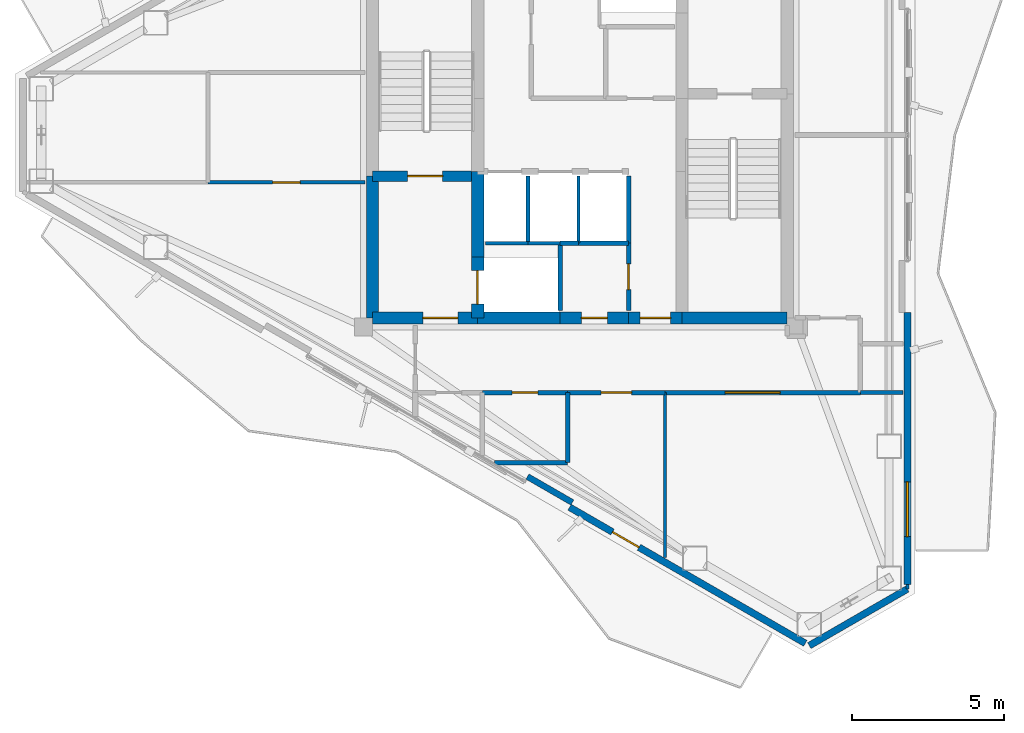
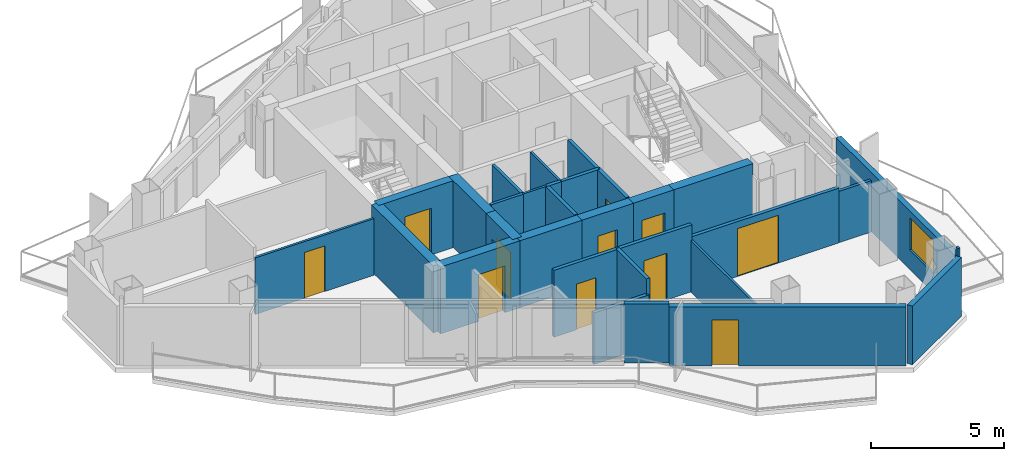
# One storey, part 14 of 18: 31 walls, 11 doors, 1 window, 12 openings.
"""IFC4 building model written with IfcOpenShell, lengths in metres."""

from ifc_helpers import new_model, si_unit, direction, frame, frame_2d, origin, place, context, subcontext, project, spatial, rectangle, extrude, material, layer, layer_set, type_object, element, fill, save


model = new_model("IFC4")

# Units and contexts
model_context = context("Model", 3, precision=1e-05, world=origin(), true_north=direction((0.0, 1.0)))
body_context = subcontext(model_context, "Body", "Model", "MODEL_VIEW")
ifc_project = project(units=[si_unit("LENGTHUNIT", "METRE"), si_unit("AREAUNIT", "SQUARE_METRE"), si_unit("VOLUMEUNIT", "CUBIC_METRE"), si_unit("PLANEANGLEUNIT", "RADIAN"), si_unit("MASSUNIT", "GRAM", prefix="KILO")], contexts=[model_context])

# Site, building, storey
site_placement = place(None, origin())
site = spatial("IfcSite", under=ifc_project, at=site_placement, CompositionType="ELEMENT")
building_placement = place(site_placement, origin())
building = spatial("IfcBuilding", under=site, at=building_placement, Name="Mersakhor Tower and Convention Hall", CompositionType="ELEMENT")
storey_placement = place(building_placement, frame((0.0, 0.0, 239.699951171875)))
storey = spatial("IfcBuildingStorey", under=building, at=storey_placement, Name="L67", CompositionType="ELEMENT", Elevation=239.699951171875)

# Wall
ifc_material_1 = material(Name="Precast concrete C40/50", Category="concrete")
ifc_layer_1 = layer(ifc_material_1, 0.22509765625)
ifc_layer_set_1 = layer_set([ifc_layer_1], Name="Precast concrete C40/50")
wall_type_1 = type_object("IfcWallType", Name="WL-EXT-225", PredefinedType="SOLIDWALL", material=ifc_layer_set_1)
wall_1_placement = place(storey_placement, frame((39.742919921875, 11.858154296875, 0.0), z_axis=(0.0, 0.0, 1.0), x_axis=(-0.866038962515, -0.499976514854, 0.0)))
element("IfcWall", 1, at=wall_1_placement, inside=storey, type_object=wall_type_1, Name="L67 Chamfer Braced Spandrel Wall C2", PredefinedType="SOLIDWALL", context=body_context, shape_type="SweptSolid", body=[
    extrude(rectangle(XDim=3.715576171875, YDim=0.22509765625, at=frame_2d((1.85791015625, 0.0))), origin(), (0.0, 0.0, 1.0), 2.699951171875),
])

# Wall, opening, window
wall_2_placement = place(storey_placement, frame((39.742919921875, 20.93603515625, 0.0), z_axis=(0.0, 0.0, 1.0), x_axis=(0.0, -1.0, 0.0)))
wall_2 = element("IfcWall", 2, at=wall_2_placement, inside=storey, type_object=wall_type_1, Name="L67 Exterior Facade Wall F2-B3", PredefinedType="SOLIDWALL", context=body_context, shape_type="SweptSolid", body=[
    extrude(rectangle(XDim=8.927734375, YDim=0.22509765625, at=frame_2d((4.4638671875, 0.0))), origin(), (0.0, 0.0, 1.0), 2.699951171875),
])
opening_1_placement = place(wall_2_placement, frame((5.56005859375, 0.0, 0.89990234375)))
opening_1 = element("IfcOpeningElement", 3, at=opening_1_placement, cuts=wall_2, Name="Opening W-03", PredefinedType="OPENING", context=body_context, shape_type="SweptSolid", body=[
    extrude(rectangle(XDim=1.800048828125, YDim=1.5, at=frame_2d((0.89990234375, 0.75))), frame((0.0, 0.12255859375, 0.0), z_axis=(0.0, -1.0, 0.0), x_axis=(1.0, 0.0, 0.0)), (0.0, 0.0, 1.0), 0.2451171875),
])
ifc_material_2 = material(Name="Dark solar low-E glazed aluminium window", Category="aluminium")
window_type = type_object("IfcWindowType", Name="WN-RES-180x150", PartitioningType="SINGLE_PANEL", PredefinedType="WINDOW", material=ifc_material_2)
window_placement = place(opening_1_placement, origin())
window = element("IfcWindow", 4, at=window_placement, inside=storey, type_object=window_type, Name="L67 Facade Punched Window F2-B3", OverallHeight=1.5, OverallWidth=1.800048828125, PartitioningType="SINGLE_PANEL", PredefinedType="WINDOW", context=body_context, shape_type="SweptSolid", body=[
    extrude(rectangle(XDim=1.800048828125, YDim=1.5, at=frame_2d((0.89990234375, 0.75))), frame((0.0, 0.030029296875, 0.0), z_axis=(0.0, -1.0, 0.0), x_axis=(1.0, 0.0, 0.0)), (0.0, 0.0, 1.0), 0.06005859375),
])
fill(opening_1, window)

# Wall, opening, door
wall_3_placement = place(storey_placement, frame((36.395263671875, 10.07568359375, 0.0), z_axis=(0.0, 0.0, 1.0), x_axis=(-0.866026655105, 0.499997832642, 0.0)))
wall_3 = element("IfcWall", 5, at=wall_3_placement, inside=storey, type_object=wall_type_1, Name="L67 Exterior Facade Wall F3-B1", PredefinedType="SOLIDWALL", context=body_context, shape_type="SweptSolid", body=[
    extrude(rectangle(XDim=8.927734375, YDim=0.22509765625, at=frame_2d((4.4638671875, 0.0))), origin(), (0.0, 0.0, 1.0), 2.699951171875),
])
opening_2_placement = place(wall_3_placement, frame((6.302001953125, 0.0, 0.0)))
opening_2 = element("IfcOpeningElement", 6, at=opening_2_placement, cuts=wall_3, Name="Opening BD-01", PredefinedType="OPENING", context=body_context, shape_type="SweptSolid", body=[
    extrude(rectangle(XDim=1.0, YDim=2.10009765625, at=frame_2d((0.5, 1.050048828125))), frame((0.0, 0.12255859375, 0.0), z_axis=(0.0, -1.0, 0.0), x_axis=(1.0, 0.0, 0.0)), (0.0, 0.0, 1.0), 0.2451171875),
])
ifc_material_3 = material(Name="Thermally broken dark aluminium and safety glass", Category="aluminium")
door_type_1 = type_object("IfcDoorType", Name="DR-BAL-100x210", OperationType="NOTDEFINED", PredefinedType="DOOR", material=ifc_material_3)
door_1_placement = place(opening_2_placement, origin())
door_1 = element("IfcDoor", 7, at=door_1_placement, inside=storey, type_object=door_type_1, Name="L67 Balcony Terrace Door F3-B1", OperationType="SINGLE_SWING_LEFT", OverallHeight=2.10009765625, OverallWidth=1.0, PredefinedType="DOOR", context=body_context, shape_type="SweptSolid", body=[
    extrude(rectangle(XDim=1.0, YDim=2.10009765625, at=frame_2d((0.5, 1.050048828125))), frame((0.0, 0.02490234375, 0.0), z_axis=(0.0, -1.0, 0.0), x_axis=(1.0, 0.0, 0.0)), (0.0, 0.0, 1.0), 0.050048828125),
])
fill(opening_2, door_1)

# Walls
ifc_material_4 = material(Name="Precast concrete C40/50", Category="concrete")
ifc_layer_2 = layer(ifc_material_4, 0.199951171875)
ifc_layer_set_2 = layer_set([ifc_layer_2], Name="Precast concrete C40/50")
wall_type_2 = type_object("IfcWallType", Name="WL-PAR-200", PredefinedType="PARAPET", material=ifc_layer_set_2)
wall_4_placement = place(storey_placement, frame((28.753662109375, 14.6953125, 0.0), z_axis=(0.0, 0.0, 1.0), x_axis=(-0.866025371046, 0.500000056704, 0.0)))
element("IfcWall", 8, at=wall_4_placement, inside=storey, type_object=wall_type_2, Name="L67 Column Pier Cladding Wall F3-C1", PredefinedType="PARAPET", context=body_context, shape_type="SweptSolid", body=[
    extrude(rectangle(XDim=1.7001953125, YDim=0.199951171875, at=frame_2d((0.85009765625, 0.0))), origin(), (0.0, 0.0, 1.0), 2.699951171875),
])
ifc_material_5 = material(Name="Lightweight gypsum partition", Category="other")
ifc_layer_3 = layer(ifc_material_5, 0.10009765625)
ifc_layer_set_3 = layer_set([ifc_layer_3], Name="Lightweight gypsum partition")
wall_type_3 = type_object("IfcWallType", Name="WL-PRT-100", PredefinedType="PARTITIONING", material=ifc_layer_set_3)
wall_5_placement = place(storey_placement, frame((27.300048828125, 23.199951171875, 0.0), z_axis=(0.0, 0.0, 1.0), x_axis=(1.0, 0.0, 0.0)))
element("IfcWall", 9, at=wall_5_placement, inside=storey, type_object=wall_type_3, Name="L67 Interior Partition Wall P-002", PredefinedType="PARTITIONING", context=body_context, shape_type="SweptSolid", body=[
    extrude(rectangle(XDim=1.050048828125, YDim=0.10009765625, at=frame_2d((0.52490234375, 0.0))), origin(), (0.0, 0.0, 1.0), 3.080078125),
])
wall_6_placement = place(storey_placement, frame((28.949951171875, 25.39990234375, 0.0), z_axis=(0.0, 0.0, 1.0), x_axis=(0.0, -1.0, 0.0)))
element("IfcWall", 10, at=wall_6_placement, inside=storey, type_object=wall_type_3, Name="L67 Interior Partition Wall P-008", PredefinedType="PARTITIONING", context=body_context, shape_type="SweptSolid", body=[
    extrude(rectangle(XDim=2.199951171875, YDim=0.10009765625, at=frame_2d((1.10009765625, 0.0))), origin(), (0.0, 0.0, 1.0), 3.080078125),
])
wall_7_placement = place(storey_placement, frame((31.800048828125, 12.88623046875, 0.0), z_axis=(0.0, 0.0, 1.0), x_axis=(0.0, 1.0, 0.0)))
element("IfcWall", 11, at=wall_7_placement, inside=storey, type_object=wall_type_3, Name="L67 Interior Partition Wall P-048", PredefinedType="PARTITIONING", context=body_context, shape_type="SweptSolid", body=[
    extrude(rectangle(XDim=5.413818359375, YDim=0.10009765625, at=frame_2d((2.70703125, 0.0))), origin(), (0.0, 0.0, 1.0), 2.364990234375),
])
wall_8_placement = place(storey_placement, frame((39.742919921875, 12.00830078125, 0.0), z_axis=(0.0, 0.0, 1.0), x_axis=(0.0, -1.0, 0.0)))
element("IfcWall", 12, at=wall_8_placement, inside=storey, type_object=wall_type_3, Name="L67 Interior Partition Wall P-050", PredefinedType="PARTITIONING", context=body_context, shape_type="SweptSolid", body=[
    extrude(rectangle(XDim=0.150390625, YDim=0.10009765625, at=frame_2d((0.0751953125, 0.0))), origin(), (0.0, 0.0, 1.0), 3.080078125),
])

# Wall, opening, door
wall_9_placement = place(storey_placement, frame((16.800048828125, 25.199951171875, 0.0), z_axis=(0.0, 0.0, 1.0), x_axis=(1.0, 0.0, 0.0)))
wall_9 = element("IfcWall", 13, at=wall_9_placement, inside=storey, type_object=wall_type_3, Name="L67 Interior Partition Wall P-052", PredefinedType="PARTITIONING", context=body_context, shape_type="SweptSolid", body=[
    extrude(rectangle(XDim=5.14990234375, YDim=0.10009765625, at=frame_2d((2.574951171875, 0.0))), origin(), (0.0, 0.0, 1.0), 2.60498046875),
])
opening_3_placement = place(wall_9_placement, frame((2.125, 0.0, 0.0)))
opening_3 = element("IfcOpeningElement", 14, at=opening_3_placement, cuts=wall_9, Name="Opening WD-01", PredefinedType="OPENING", context=body_context, shape_type="SweptSolid", body=[
    extrude(rectangle(XDim=0.89990234375, YDim=2.10009765625, at=frame_2d((0.449951171875, 1.050048828125))), frame((0.0, 0.06005859375, 0.0), z_axis=(0.0, -1.0, 0.0), x_axis=(1.0, 0.0, 0.0)), (0.0, 0.0, 1.0), 0.1201171875),
])
ifc_material_6 = material(Name="Solid-core hardwood leaf in painted steel frame", Category="steel")
door_type_2 = type_object("IfcDoorType", Name="DR-INT-WET-090x210", OperationType="NOTDEFINED", PredefinedType="DOOR", material=ifc_material_6)
door_2_placement = place(opening_3_placement, origin())
door_2 = element("IfcDoor", 15, at=door_2_placement, inside=storey, type_object=door_type_2, Name="L67 L67 West Quiet Focus Room to L67 Floor Shared Tea Pantry 3-3 Door", OperationType="SINGLE_SWING_LEFT", OverallHeight=2.10009765625, OverallWidth=0.89990234375, PredefinedType="DOOR", context=body_context, shape_type="SweptSolid", body=[
    extrude(rectangle(XDim=0.89990234375, YDim=2.10009765625, at=frame_2d((0.449951171875, 1.050048828125))), frame((0.0, 0.02490234375, 0.0), z_axis=(0.0, -1.0, 0.0), x_axis=(1.0, 0.0, 0.0)), (0.0, 0.0, 1.0), 0.050048828125),
])
fill(opening_3, door_2)

# Walls
ifc_material_7 = material(Name="Gypsum board acoustic partition", Category="other")
ifc_layer_4 = layer(ifc_material_7, 0.125)
ifc_layer_set_4 = layer_set([ifc_layer_4], Name="Gypsum board acoustic partition")
wall_type_4 = type_object("IfcWallType", Name="WL-PRT-125", PredefinedType="PARTITIONING", material=ifc_layer_set_4)
wall_10_placement = place(storey_placement, frame((25.89990234375, 23.199951171875, 0.0), z_axis=(0.0, 0.0, 1.0), x_axis=(1.0, 0.0, 0.0)))
element("IfcWall", 16, at=wall_10_placement, inside=storey, type_object=wall_type_4, Name="L67 Interior Partition Wall P-001", PredefinedType="PARTITIONING", context=body_context, shape_type="SweptSolid", body=[
    extrude(rectangle(XDim=1.400146484375, YDim=0.125, at=frame_2d((0.7001953125, 0.0))), origin(), (0.0, 0.0, 1.0), 3.080078125),
])
wall_11_placement = place(storey_placement, frame((27.300048828125, 25.39990234375, 0.0), z_axis=(0.0, 0.0, 1.0), x_axis=(0.0, -1.0, 0.0)))
element("IfcWall", 17, at=wall_11_placement, inside=storey, type_object=wall_type_4, Name="L67 Interior Partition Wall P-007", PredefinedType="PARTITIONING", context=body_context, shape_type="SweptSolid", body=[
    extrude(rectangle(XDim=2.199951171875, YDim=0.125, at=frame_2d((1.10009765625, 0.0))), origin(), (0.0, 0.0, 1.0), 3.080078125),
])
wall_12_placement = place(storey_placement, frame((38.199951171875, 18.300048828125, 0.0), z_axis=(0.0, 0.0, 1.0), x_axis=(1.0, 0.0, 0.0)))
element("IfcWall", 18, at=wall_12_placement, inside=storey, type_object=wall_type_4, Name="L67 Interior Partition Wall P-049", PredefinedType="PARTITIONING", context=body_context, shape_type="SweptSolid", body=[
    extrude(rectangle(XDim=1.40625, YDim=0.125, at=frame_2d((0.703125, 0.0))), origin(), (0.0, 0.0, 1.0), 2.364990234375),
])
ifc_material_8 = material(Name="Fire-rated gypsum board stud partition", Category="other")
ifc_layer_5 = layer(ifc_material_8, 0.14990234375)
ifc_layer_set_5 = layer_set([ifc_layer_5], Name="Fire-rated gypsum board stud partition")
wall_type_5 = type_object("IfcWallType", Name="WL-PRT-150", PredefinedType="PARTITIONING", material=ifc_layer_set_5)
wall_13_placement = place(storey_placement, frame((28.35009765625, 23.199951171875, 0.0), z_axis=(0.0, 0.0, 1.0), x_axis=(0.0, -1.0, 0.0)))
element("IfcWall", 19, at=wall_13_placement, inside=storey, type_object=wall_type_5, Name="L67 Interior Partition Wall P-003", PredefinedType="PARTITIONING", context=body_context, shape_type="SweptSolid", body=[
    extrude(rectangle(XDim=2.199951171875, YDim=0.14990234375, at=frame_2d((1.10009765625, 0.0))), origin(), (0.0, 0.0, 1.0), 3.080078125),
])
wall_14_placement = place(storey_placement, frame((28.949951171875, 23.199951171875, 0.0), z_axis=(0.0, 0.0, 1.0), x_axis=(-1.0, 0.0, 0.0)))
element("IfcWall", 20, at=wall_14_placement, inside=storey, type_object=wall_type_5, Name="L67 Interior Partition Wall P-009", PredefinedType="PARTITIONING", context=body_context, shape_type="SweptSolid", body=[
    extrude(rectangle(XDim=0.599853515625, YDim=0.14990234375, at=frame_2d((0.2998046875, 0.0))), origin(), (0.0, 0.0, 1.0), 3.080078125),
])
wall_15_placement = place(storey_placement, frame((30.60009765625, 25.39990234375, 0.0), z_axis=(0.0, 0.0, 1.0), x_axis=(0.0, -1.0, 0.0)))
element("IfcWall", 21, at=wall_15_placement, inside=storey, type_object=wall_type_5, Name="L67 Interior Partition Wall P-010", PredefinedType="PARTITIONING", context=body_context, shape_type="SweptSolid", body=[
    extrude(rectangle(XDim=2.199951171875, YDim=0.14990234375, at=frame_2d((1.10009765625, 0.0))), origin(), (0.0, 0.0, 1.0), 3.080078125),
])
wall_16_placement = place(storey_placement, frame((30.60009765625, 23.199951171875, 0.0), z_axis=(0.0, 0.0, 1.0), x_axis=(-1.0, 0.0, 0.0)))
element("IfcWall", 22, at=wall_16_placement, inside=storey, type_object=wall_type_5, Name="L67 Interior Partition Wall P-011", PredefinedType="PARTITIONING", context=body_context, shape_type="SweptSolid", body=[
    extrude(rectangle(XDim=1.650146484375, YDim=0.14990234375, at=frame_2d((0.8251953125, 0.0))), origin(), (0.0, 0.0, 1.0), 3.080078125),
])

# Wall, opening, door
wall_17_placement = place(storey_placement, frame((30.60009765625, 21.0, 0.0), z_axis=(0.0, 0.0, 1.0), x_axis=(0.0, 1.0, 0.0)))
wall_17 = element("IfcWall", 23, at=wall_17_placement, inside=storey, type_object=wall_type_5, Name="L67 Interior Partition Wall P-012", PredefinedType="PARTITIONING", context=body_context, shape_type="SweptSolid", body=[
    extrude(rectangle(XDim=2.199951171875, YDim=0.14990234375, at=frame_2d((1.10009765625, 0.0))), origin(), (0.0, 0.0, 1.0), 3.080078125),
])
opening_4_placement = place(wall_17_placement, frame((0.675048828125, 0.0, 0.0)))
opening_4 = element("IfcOpeningElement", 24, at=opening_4_placement, cuts=wall_17, Name="Opening SVD-01", PredefinedType="OPENING", context=body_context, shape_type="SweptSolid", body=[
    extrude(rectangle(XDim=0.85009765625, YDim=2.10009765625, at=frame_2d((0.425048828125, 1.050048828125))), frame((0.0, 0.0849609375, 0.0), z_axis=(0.0, -1.0, 0.0), x_axis=(1.0, 0.0, 0.0)), (0.0, 0.0, 1.0), 0.169921875),
])
ifc_material_9 = material(Name="Fire-rated hardwood leaf and painted steel frame", Category="steel")
door_type_3 = type_object("IfcDoorType", Name="DR-INT-SVC-085x210", OperationType="NOTDEFINED", PredefinedType="DOOR", material=ifc_material_9)
door_3_placement = place(opening_4_placement, origin())
door_3 = element("IfcDoor", 25, at=door_3_placement, inside=storey, type_object=door_type_3, Name="L67 Central Passenger Lift Lobby to Electrical Switchroom Door", OperationType="SINGLE_SWING_LEFT", OverallHeight=2.10009765625, OverallWidth=0.85009765625, PredefinedType="DOOR", context=body_context, shape_type="SweptSolid", body=[
    extrude(rectangle(XDim=0.85009765625, YDim=2.10009765625, at=frame_2d((0.425048828125, 1.050048828125))), frame((0.0, 0.02490234375, 0.0), z_axis=(0.0, -1.0, 0.0), x_axis=(1.0, 0.0, 0.0)), (0.0, 0.0, 1.0), 0.050048828125),
])
fill(opening_4, door_3)

wall_18_placement = place(storey_placement, frame((38.199951171875, 18.300048828125, 0.0), z_axis=(0.0, 0.0, 1.0), x_axis=(-1.0, 0.0, 0.0)))
wall_18 = element("IfcWall", 26, at=wall_18_placement, inside=storey, type_object=wall_type_5, Name="L67 Interior Partition Wall P-032", PredefinedType="PARTITIONING", context=body_context, shape_type="SweptSolid", body=[
    extrude(rectangle(XDim=6.39990234375, YDim=0.14990234375, at=frame_2d((3.199951171875, 0.0))), origin(), (0.0, 0.0, 1.0), 2.5283203125),
])
opening_5_placement = place(wall_18_placement, frame((2.633056640625, 0.0, 0.0)))
opening_5 = element("IfcOpeningElement", 27, at=opening_5_placement, cuts=wall_18, Name="Opening HD-01", PredefinedType="OPENING", context=body_context, shape_type="SweptSolid", body=[
    extrude(rectangle(XDim=1.800048828125, YDim=2.199951171875, at=frame_2d((0.89990234375, 1.10009765625))), frame((0.0, 0.0849609375, 0.0), z_axis=(0.0, -1.0, 0.0), x_axis=(1.0, 0.0, 0.0)), (0.0, 0.0, 1.0), 0.169921875),
])
ifc_material_10 = material(Name="Fire-rated hardwood leaf and painted steel frame", Category="steel")
door_type_4 = type_object("IfcDoorType", Name="DR-INT-HALL-180x220", OperationType="NOTDEFINED", PredefinedType="DOOR", material=ifc_material_10)
door_4_placement = place(opening_5_placement, origin())
door_4 = element("IfcDoor", 28, at=door_4_placement, inside=storey, type_object=door_type_4, Name="L67 Residential South Gallery Corridor to L67 South-East Residents Meeting Room Door", OperationType="DOUBLE_DOOR_SINGLE_SWING", OverallHeight=2.199951171875, OverallWidth=1.800048828125, PredefinedType="DOOR", context=body_context, shape_type="SweptSolid", body=[
    extrude(rectangle(XDim=1.800048828125, YDim=2.199951171875, at=frame_2d((0.89990234375, 1.10009765625))), frame((0.0, 0.02490234375, 0.0), z_axis=(0.0, -1.0, 0.0), x_axis=(1.0, 0.0, 0.0)), (0.0, 0.0, 1.0), 0.050048828125),
])
fill(opening_5, door_4)

wall_19_placement = place(storey_placement, frame((31.800048828125, 18.300048828125, 0.0), z_axis=(0.0, 0.0, 1.0), x_axis=(-1.0, 0.0, 0.0)))
wall_19 = element("IfcWall", 29, at=wall_19_placement, inside=storey, type_object=wall_type_5, Name="L67 Interior Partition Wall P-033", PredefinedType="PARTITIONING", context=body_context, shape_type="SweptSolid", body=[
    extrude(rectangle(XDim=3.199951171875, YDim=0.14990234375, at=frame_2d((1.60009765625, 0.0))), origin(), (0.0, 0.0, 1.0), 3.080078125),
])
opening_6_placement = place(wall_19_placement, frame((1.10009765625, 0.0, 0.0)))
opening_6 = element("IfcOpeningElement", 30, at=opening_6_placement, cuts=wall_19, Name="Opening FD-01", PredefinedType="OPENING", context=body_context, shape_type="SweptSolid", body=[
    extrude(rectangle(XDim=1.0, YDim=2.14990234375, at=frame_2d((0.5, 1.074951171875))), frame((0.0, 0.0849609375, 0.0), z_axis=(0.0, -1.0, 0.0), x_axis=(1.0, 0.0, 0.0)), (0.0, 0.0, 1.0), 0.169921875),
])
ifc_material_11 = material(Name="Fire-rated hardwood leaf and painted steel frame", Category="steel")
door_type_5 = type_object("IfcDoorType", Name="DR-INT-FLT-100x215", OperationType="NOTDEFINED", PredefinedType="DOOR", material=ifc_material_11)
door_5_placement = place(opening_6_placement, origin())
door_5 = element("IfcDoor", 31, at=door_5_placement, inside=storey, type_object=door_type_5, Name="L67 Residential South Gallery Corridor to L67 Floor Shared Tea Pantry 2-3 Door", OperationType="SINGLE_SWING_LEFT", OverallHeight=2.14990234375, OverallWidth=1.0, PredefinedType="DOOR", context=body_context, shape_type="SweptSolid", body=[
    extrude(rectangle(XDim=1.0, YDim=2.14990234375, at=frame_2d((0.5, 1.074951171875))), frame((0.0, 0.02490234375, 0.0), z_axis=(0.0, -1.0, 0.0), x_axis=(1.0, 0.0, 0.0)), (0.0, 0.0, 1.0), 0.050048828125),
])
fill(opening_6, door_5)

wall_20_placement = place(storey_placement, frame((28.60009765625, 18.300048828125, 0.0), z_axis=(0.0, 0.0, 1.0), x_axis=(-1.0, 0.0, 0.0)))
wall_20 = element("IfcWall", 32, at=wall_20_placement, inside=storey, type_object=wall_type_5, Name="L67 Interior Partition Wall P-034", PredefinedType="PARTITIONING", context=body_context, shape_type="SweptSolid", body=[
    extrude(rectangle(XDim=2.800048828125, YDim=0.14990234375, at=frame_2d((1.39990234375, 0.0))), origin(), (0.0, 0.0, 1.0), 3.080078125),
])
opening_7_placement = place(wall_20_placement, frame((0.97509765625, 0.0, 0.0)))
opening_7 = element("IfcOpeningElement", 33, at=opening_7_placement, cuts=wall_20, Name="Opening SVD-01", PredefinedType="OPENING", context=body_context, shape_type="SweptSolid", body=[
    extrude(rectangle(XDim=0.85009765625, YDim=2.10009765625, at=frame_2d((0.425048828125, 1.050048828125))), frame((0.0, 0.0849609375, 0.0), z_axis=(0.0, -1.0, 0.0), x_axis=(1.0, 0.0, 0.0)), (0.0, 0.0, 1.0), 0.169921875),
])
door_6_placement = place(opening_7_placement, origin())
door_6 = element("IfcDoor", 34, at=door_6_placement, inside=storey, type_object=door_type_3, Name="L67 Residential South Gallery Corridor to L67 Floor Household Store Room 2-2 Door", OperationType="SINGLE_SWING_RIGHT", OverallHeight=2.10009765625, OverallWidth=0.85009765625, PredefinedType="DOOR", context=body_context, shape_type="SweptSolid", body=[
    extrude(rectangle(XDim=0.85009765625, YDim=2.10009765625, at=frame_2d((0.425048828125, 1.050048828125))), frame((0.0, 0.02490234375, 0.0), z_axis=(0.0, -1.0, 0.0), x_axis=(1.0, 0.0, 0.0)), (0.0, 0.0, 1.0), 0.050048828125),
])
fill(opening_7, door_6)

# Walls
wall_21_placement = place(storey_placement, frame((28.60009765625, 18.300048828125, 0.0), z_axis=(0.0, 0.0, 1.0), x_axis=(0.0, -1.0, 0.0)))
element("IfcWall", 35, at=wall_21_placement, inside=storey, type_object=wall_type_5, Name="L67 Interior Partition Wall P-061", PredefinedType="PARTITIONING", context=body_context, shape_type="SweptSolid", body=[
    extrude(rectangle(XDim=2.300048828125, YDim=0.14990234375, at=frame_2d((1.14990234375, 0.0))), origin(), (0.0, 0.0, 1.0), 3.080078125),
])
wall_22_placement = place(storey_placement, frame((28.60009765625, 16.0, 0.0), z_axis=(0.0, 0.0, 1.0), x_axis=(-1.0, 0.0, 0.0)))
element("IfcWall", 36, at=wall_22_placement, inside=storey, type_object=wall_type_5, Name="L67 Interior Partition Wall P-062", PredefinedType="PARTITIONING", context=body_context, shape_type="SweptSolid", body=[
    extrude(rectangle(XDim=2.3935546875, YDim=0.14990234375, at=frame_2d((1.19677734375, 0.0))), origin(), (0.0, 0.0, 1.0), 2.364990234375),
])

# Wall, opening, door
ifc_material_12 = material(Name="Concrete C50/60", Category="concrete")
ifc_layer_6 = layer(ifc_material_12, 0.35009765625)
ifc_layer_set_6 = layer_set([ifc_layer_6], Name="Concrete C50/60")
wall_type_6 = type_object("IfcWallType", Name="WL-SHR-350", PredefinedType="SHEAR", material=ifc_layer_set_6)
wall_23_placement = place(storey_placement, frame((22.199951171875, 25.39990234375, 0.0), z_axis=(0.0, 0.0, 1.0), x_axis=(1.0, 0.0, 0.0)))
wall_23 = element("IfcWall", 37, at=wall_23_placement, inside=storey, type_object=wall_type_6, Name="L67 Core Wall CS-ST1-S", PredefinedType="SHEAR", context=body_context, shape_type="SweptSolid", body=[
    extrude(rectangle(XDim=3.449951171875, YDim=0.35009765625, at=frame_2d((1.72509765625, 0.0))), origin(), (0.0, 0.0, 1.0), 3.080078125),
])
opening_8_placement = place(wall_23_placement, frame((1.14990234375, 0.0, 0.0)))
opening_8 = element("IfcOpeningElement", 38, at=opening_8_placement, cuts=wall_23, Name="Opening SD-01", PredefinedType="OPENING", context=body_context, shape_type="SweptSolid", body=[
    extrude(rectangle(XDim=1.14990234375, YDim=2.14990234375, at=frame_2d((0.574951171875, 1.074951171875))), frame((0.0, 0.18505859375, 0.0), z_axis=(0.0, -1.0, 0.0), x_axis=(1.0, 0.0, 0.0)), (0.0, 0.0, 1.0), 0.3701171875),
])
ifc_material_13 = material(Name="Fire-rated hardwood leaf and painted steel frame", Category="steel")
door_type_6 = type_object("IfcDoorType", Name="DR-INT-STAIR-115x215", OperationType="NOTDEFINED", PredefinedType="DOOR", material=ifc_material_13)
door_7_placement = place(opening_8_placement, origin())
door_7 = element("IfcDoor", 39, at=door_7_placement, inside=storey, type_object=door_type_6, Name="L67 Exit Stair ST-1 Enclosure Door", OperationType="SINGLE_SWING_LEFT", OverallHeight=2.14990234375, OverallWidth=1.14990234375, PredefinedType="DOOR", context=body_context, shape_type="SweptSolid", body=[
    extrude(rectangle(XDim=1.14990234375, YDim=2.14990234375, at=frame_2d((0.574951171875, 1.074951171875))), frame((0.0, 0.02490234375, 0.0), z_axis=(0.0, -1.0, 0.0), x_axis=(1.0, 0.0, 0.0)), (0.0, 0.0, 1.0), 0.050048828125),
])
fill(opening_8, door_7)

# Walls
ifc_material_14 = material(Name="Concrete C60/75", Category="concrete")
ifc_layer_7 = layer(ifc_material_14, 0.39990234375)
ifc_layer_set_7 = layer_set([ifc_layer_7], Name="Concrete C60/75")
wall_type_7 = type_object("IfcWallType", Name="WL-SHR-400", PredefinedType="SHEAR", material=ifc_layer_set_7)
wall_24_placement = place(storey_placement, frame((22.199951171875, 20.75, 0.0), z_axis=(0.0, 0.0, 1.0), x_axis=(0.0, 1.0, 0.0)))
element("IfcWall", 40, at=wall_24_placement, inside=storey, type_object=wall_type_7, Name="L67 Core Wall CW-W1", PredefinedType="SHEAR", context=body_context, shape_type="SweptSolid", body=[
    extrude(rectangle(XDim=4.64990234375, YDim=0.39990234375, at=frame_2d((2.324951171875, 0.0))), origin(), (0.0, 0.0, 1.0), 3.080078125),
])
wall_25_placement = place(storey_placement, frame((35.800048828125, 20.75, 0.0), z_axis=(0.0, 0.0, 1.0), x_axis=(-1.0, 0.0, 0.0)))
element("IfcWall", 41, at=wall_25_placement, inside=storey, type_object=wall_type_7, Name="L67 Core Wall CW-S1", PredefinedType="SHEAR", context=body_context, shape_type="SweptSolid", body=[
    extrude(rectangle(XDim=3.449951171875, YDim=0.39990234375, at=frame_2d((1.72509765625, 0.0))), origin(), (0.0, 0.0, 1.0), 3.080078125),
])

# Wall, opening, door
wall_26_placement = place(storey_placement, frame((32.35009765625, 20.75, 0.0), z_axis=(0.0, 0.0, 1.0), x_axis=(-1.0, 0.0, 0.0)))
wall_26 = element("IfcWall", 42, at=wall_26_placement, inside=storey, type_object=wall_type_7, Name="L67 Core Wall CW-S2A", PredefinedType="SHEAR", context=body_context, shape_type="SweptSolid", body=[
    extrude(rectangle(XDim=1.75, YDim=0.39990234375, at=frame_2d((0.875, 0.0))), origin(), (0.0, 0.0, 1.0), 3.080078125),
])
opening_9_placement = place(wall_26_placement, frame((0.375, 0.0, 0.0)))
opening_9 = element("IfcOpeningElement", 43, at=opening_9_placement, cuts=wall_26, Name="Opening CFD-01", PredefinedType="OPENING", context=body_context, shape_type="SweptSolid", body=[
    extrude(rectangle(XDim=1.0, YDim=2.14990234375, at=frame_2d((0.5, 1.074951171875))), frame((0.0, 0.2099609375, 0.0), z_axis=(0.0, -1.0, 0.0), x_axis=(1.0, 0.0, 0.0)), (0.0, 0.0, 1.0), 0.419921875),
])
ifc_material_15 = material(Name="Fire-rated hardwood leaf and painted steel frame", Category="steel")
door_type_7 = type_object("IfcDoorType", Name="DR-CORE-FD-100x215", OperationType="NOTDEFINED", PredefinedType="DOOR", material=ifc_material_15)
door_8_placement = place(opening_9_placement, origin())
door_8 = element("IfcDoor", 44, at=door_8_placement, inside=storey, type_object=door_type_7, Name="L67 Lift Lobby South Corridor Door", OperationType="SINGLE_SWING_RIGHT", OverallHeight=2.14990234375, OverallWidth=1.0, PredefinedType="DOOR", context=body_context, shape_type="SweptSolid", body=[
    extrude(rectangle(XDim=1.0, YDim=2.14990234375, at=frame_2d((0.5, 1.074951171875))), frame((0.0, 0.02490234375, 0.0), z_axis=(0.0, -1.0, 0.0), x_axis=(1.0, 0.0, 0.0)), (0.0, 0.0, 1.0), 0.050048828125),
])
fill(opening_9, door_8)

wall_27_placement = place(storey_placement, frame((30.60009765625, 20.75, 0.0), z_axis=(0.0, 0.0, 1.0), x_axis=(-1.0, 0.0, 0.0)))
wall_27 = element("IfcWall", 45, at=wall_27_placement, inside=storey, type_object=wall_type_7, Name="L67 Core Wall CW-S2B", PredefinedType="SHEAR", context=body_context, shape_type="SweptSolid", body=[
    extrude(rectangle(XDim=2.25, YDim=0.39990234375, at=frame_2d((1.125, 0.0))), origin(), (0.0, 0.0, 1.0), 3.080078125),
])
opening_10_placement = place(wall_27_placement, frame((0.699951171875, 0.0, 0.0)))
opening_10 = element("IfcOpeningElement", 46, at=opening_10_placement, cuts=wall_27, Name="Opening SVD-01", PredefinedType="OPENING", context=body_context, shape_type="SweptSolid", body=[
    extrude(rectangle(XDim=0.85009765625, YDim=2.10009765625, at=frame_2d((0.425048828125, 1.050048828125))), frame((0.0, 0.2099609375, 0.0), z_axis=(0.0, -1.0, 0.0), x_axis=(1.0, 0.0, 0.0)), (0.0, 0.0, 1.0), 0.419921875),
])
door_9_placement = place(opening_10_placement, origin())
door_9 = element("IfcDoor", 47, at=door_9_placement, inside=storey, type_object=door_type_3, Name="L67 Residential South Gallery Corridor to Electrical Switchroom Door", OperationType="SINGLE_SWING_RIGHT", OverallHeight=2.10009765625, OverallWidth=0.85009765625, PredefinedType="DOOR", context=body_context, shape_type="SweptSolid", body=[
    extrude(rectangle(XDim=0.85009765625, YDim=2.10009765625, at=frame_2d((0.425048828125, 1.050048828125))), frame((0.0, 0.02490234375, 0.0), z_axis=(0.0, -1.0, 0.0), x_axis=(1.0, 0.0, 0.0)), (0.0, 0.0, 1.0), 0.050048828125),
])
fill(opening_10, door_9)

# Wall
wall_28_placement = place(storey_placement, frame((28.35009765625, 20.75, 0.0), z_axis=(0.0, 0.0, 1.0), x_axis=(-1.0, 0.0, 0.0)))
element("IfcWall", 48, at=wall_28_placement, inside=storey, type_object=wall_type_7, Name="L67 Core Wall CW-S3", PredefinedType="SHEAR", context=body_context, shape_type="SweptSolid", body=[
    extrude(rectangle(XDim=2.7001953125, YDim=0.39990234375, at=frame_2d((1.35009765625, 0.0))), origin(), (0.0, 0.0, 1.0), 3.080078125),
])

# Wall, opening, door
wall_29_placement = place(storey_placement, frame((25.64990234375, 20.75, 0.0), z_axis=(0.0, 0.0, 1.0), x_axis=(-1.0, 0.0, 0.0)))
wall_29 = element("IfcWall", 49, at=wall_29_placement, inside=storey, type_object=wall_type_7, Name="L67 Core Wall CW-S4", PredefinedType="SHEAR", context=body_context, shape_type="SweptSolid", body=[
    extrude(rectangle(XDim=3.449951171875, YDim=0.39990234375, at=frame_2d((1.72509765625, 0.0))), origin(), (0.0, 0.0, 1.0), 3.080078125),
])
opening_11_placement = place(wall_29_placement, frame((0.64990234375, 0.0, 0.0)))
opening_11 = element("IfcOpeningElement", 50, at=opening_11_placement, cuts=wall_29, Name="Opening SD-01", PredefinedType="OPENING", context=body_context, shape_type="SweptSolid", body=[
    extrude(rectangle(XDim=1.14990234375, YDim=2.14990234375, at=frame_2d((0.574951171875, 1.074951171875))), frame((0.0, 0.2099609375, 0.0), z_axis=(0.0, -1.0, 0.0), x_axis=(1.0, 0.0, 0.0)), (0.0, 0.0, 1.0), 0.419921875),
])
door_10_placement = place(opening_11_placement, origin())
door_10 = element("IfcDoor", 51, at=door_10_placement, inside=storey, type_object=door_type_6, Name="L67 Firefighting Lobby West Fire Door", OperationType="SINGLE_SWING_LEFT", OverallHeight=2.14990234375, OverallWidth=1.14990234375, PredefinedType="DOOR", context=body_context, shape_type="SweptSolid", body=[
    extrude(rectangle(XDim=1.14990234375, YDim=2.14990234375, at=frame_2d((0.574951171875, 1.074951171875))), frame((0.0, 0.02490234375, 0.0), z_axis=(0.0, -1.0, 0.0), x_axis=(1.0, 0.0, 0.0)), (0.0, 0.0, 1.0), 0.050048828125),
])
fill(opening_11, door_10)

wall_30_placement = place(storey_placement, frame((25.64990234375, 20.75, 0.0), z_axis=(0.0, 0.0, 1.0), x_axis=(0.0, 1.0, 0.0)))
wall_30 = element("IfcWall", 52, at=wall_30_placement, inside=storey, type_object=wall_type_7, Name="L67 Core Wall CS-W-FFL", PredefinedType="SHEAR", context=body_context, shape_type="SweptSolid", body=[
    extrude(rectangle(XDim=2.0, YDim=0.39990234375, at=frame_2d((1.0, 0.0))), origin(), (0.0, 0.0, 1.0), 3.080078125),
])
opening_12_placement = place(wall_30_placement, frame((0.449951171875, 0.0, 0.0)))
opening_12 = element("IfcOpeningElement", 53, at=opening_12_placement, cuts=wall_30, Name="Opening LD-FFL1", PredefinedType="OPENING", context=body_context, shape_type="SweptSolid", body=[
    extrude(rectangle(XDim=1.10009765625, YDim=2.14990234375, at=frame_2d((0.550048828125, 1.074951171875))), frame((0.0, 0.2099609375, 0.0), z_axis=(0.0, -1.0, 0.0), x_axis=(1.0, 0.0, 0.0)), (0.0, 0.0, 1.0), 0.419921875),
])
ifc_material_16 = material(Name="Fire-rated brushed stainless steel sliding landing door", Category="steel")
door_type_8 = type_object("IfcDoorType", Name="DR-LIFT-SLD-110x215", OperationType="NOTDEFINED", PredefinedType="DOOR", material=ifc_material_16)
door_11_placement = place(opening_12_placement, origin())
door_11 = element("IfcDoor", 54, at=door_11_placement, inside=storey, type_object=door_type_8, Name="L67 Firefighting Lift Landing Door LD-FFL1", OperationType="SLIDING_TO_LEFT", OverallHeight=2.14990234375, OverallWidth=1.10009765625, PredefinedType="DOOR", context=body_context, shape_type="SweptSolid", body=[
    extrude(rectangle(XDim=1.10009765625, YDim=2.14990234375, at=frame_2d((0.550048828125, 1.074951171875))), frame((0.0, 0.02490234375, 0.0), z_axis=(0.0, -1.0, 0.0), x_axis=(1.0, 0.0, 0.0)), (0.0, 0.0, 1.0), 0.050048828125),
])
fill(opening_12, door_11)

# Wall
wall_31_placement = place(storey_placement, frame((25.64990234375, 22.75, 0.0), z_axis=(0.0, 0.0, 1.0), x_axis=(0.0, 1.0, 0.0)))
element("IfcWall", 55, at=wall_31_placement, inside=storey, type_object=wall_type_7, Name="L67 Core Wall CS-W-MID", PredefinedType="SHEAR", context=body_context, shape_type="SweptSolid", body=[
    extrude(rectangle(XDim=2.800048828125, YDim=0.39990234375, at=frame_2d((1.39990234375, 0.0))), origin(), (0.0, 0.0, 1.0), 3.080078125),
])

save(model, "model.ifc")
